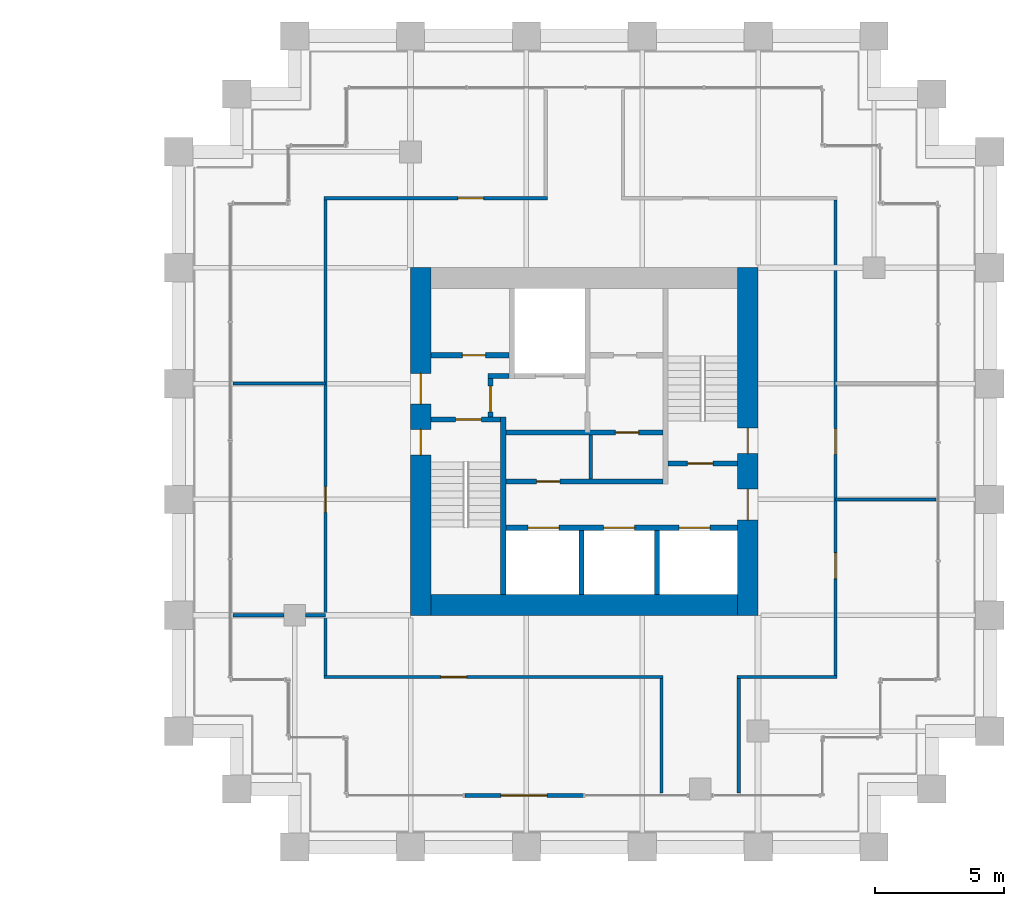
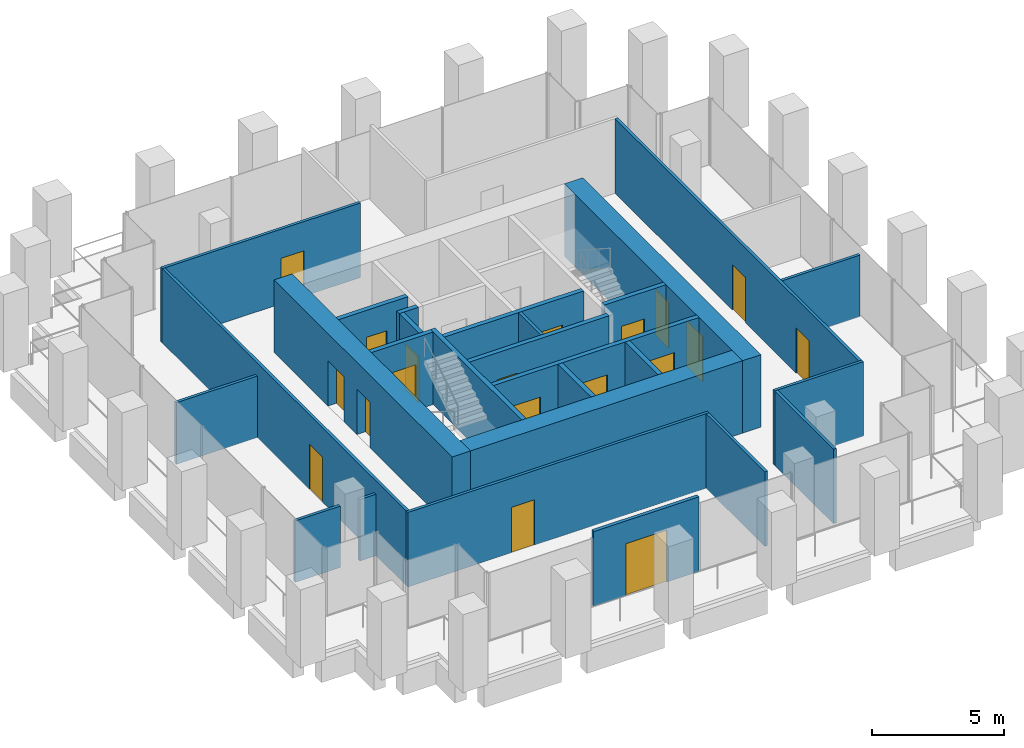
# One storey, part 52 of 56: 27 walls, 19 doors, 19 openings.
"""IFC4 building model written with IfcOpenShell, lengths in metres."""

import ifcopenshell
import ifcopenshell.guid

model = None  # the IFC model being written
_history = None  # IfcOwnerHistory: only IFC2X3 demands one
_inside = {}  # id of a spatial element -> (the spatial element, [elements in it])
_under = {}  # id of a project, library or spatial element -> (it, [spatial elements below it])
_declared = {}  # id of a project -> (the project, [libraries it declares])
_typed = {}  # id of a type object -> (the type object, [elements of that type])
_made_of = {}  # id of a material, layer set ... -> (it, [elements and type objects made of it])


def new_model(schema):
    """Start an empty IFC model of exactly this schema.

    Asked for "IFC4X3", IfcOpenShell would pick the latest addendum, in which some entities
    have other attributes; the version numbers below select the first issue.
    IFC2X3 requires an IfcOwnerHistory on every rooted entity: one is made here for all.
    """
    global model, _history
    if schema == "IFC4X3":
        model = ifcopenshell.file(schema_version=(4, 3, 0, 0))
    else:
        model = ifcopenshell.file(schema=schema)
    _inside.clear()
    _under.clear()
    _declared.clear()
    _typed.clear()
    _made_of.clear()
    _history = None
    if model.schema == "IFC2X3":
        org = make("IfcOrganization", Name="unknown")
        user = make(
            "IfcPersonAndOrganization",
            ThePerson=make("IfcPerson", FamilyName="unknown"),
            TheOrganization=org,
        )
        app = make(
            "IfcApplication",
            ApplicationDeveloper=org,
            Version="unknown",
            ApplicationFullName="unknown",
            ApplicationIdentifier="unknown",
        )
        _history = make(
            "IfcOwnerHistory",
            OwningUser=user,
            OwningApplication=app,
            ChangeAction="ADDED",
            CreationDate=0,
        )
    return model


def make(cls, **values):
    """One entity of the class cls with the attributes given. An attribute that is None is left unset."""
    return model.create_entity(
        cls, **{name: value for name, value in values.items() if value is not None}
    )


def rooted(cls, **values):
    """An entity with a GlobalId (a new one), such as an element, a storey or a relation."""
    return make(cls, GlobalId=ifcopenshell.guid.new(), OwnerHistory=_history, **values)


def si_unit(unit_type, name, prefix=None):
    """IfcSIUnit, for example si_unit("LENGTHUNIT", "METRE", prefix="MILLI")."""
    return make("IfcSIUnit", UnitType=unit_type, Prefix=prefix, Name=name)


def assignment(units):
    """IfcUnitAssignment: the units of a project."""
    return None if units is None else make("IfcUnitAssignment", Units=units)


def point(xyz):
    """IfcCartesianPoint."""
    return None if xyz is None else make("IfcCartesianPoint", Coordinates=xyz)


def direction(xyz):
    """IfcDirection."""
    return None if xyz is None else make("IfcDirection", DirectionRatios=xyz)


def frame(location, z_axis=None, x_axis=None):
    """IfcAxis2Placement3D, a coordinate frame: its origin and axes. An axis left out is left unset."""
    return make(
        "IfcAxis2Placement3D",
        Location=point(location),
        Axis=direction(z_axis),
        RefDirection=direction(x_axis),
    )


def frame_2d(location, x_axis=None):
    """IfcAxis2Placement2D, a coordinate frame in the plane: its origin and x axis."""
    return make(
        "IfcAxis2Placement2D", Location=point(location), RefDirection=direction(x_axis)
    )


def origin():
    """The frame at (0, 0, 0) with its axes left unset."""
    return frame((0.0, 0.0, 0.0))


def place(relative_to, where):
    """IfcLocalPlacement: puts the frame where relative to a parent placement (None: the world)."""
    return make(
        "IfcLocalPlacement", PlacementRelTo=relative_to, RelativePlacement=where
    )


def context(
    kind, dimensions, precision=None, world=None, true_north=None, identifier=None
):
    """IfcGeometricRepresentationContext, for example the 3D "Model" context."""
    return make(
        "IfcGeometricRepresentationContext",
        ContextIdentifier=identifier,
        ContextType=kind,
        CoordinateSpaceDimension=dimensions,
        Precision=precision,
        WorldCoordinateSystem=world,
        TrueNorth=true_north,
    )


def subcontext(parent, identifier, kind, view, scale=None):
    """IfcGeometricRepresentationSubContext, for example "Body" below "Model"."""
    return make(
        "IfcGeometricRepresentationSubContext",
        ContextIdentifier=identifier,
        ContextType=kind,
        ParentContext=parent,
        TargetScale=scale,
        TargetView=view,
    )


def project(units=None, contexts=None):
    """IfcProject with its units and contexts."""
    return rooted(
        "IfcProject",
        Name="project",
        RepresentationContexts=contexts,
        UnitsInContext=assignment(units),
    )


def spatial(cls, under=None, at=None, **own):
    """A site, building, storey or space (cls), placed at a placement, below another one or the project."""
    s = rooted(cls, ObjectPlacement=at, **own)
    if under is not None:
        _under.setdefault(under.id(), (under, []))[1].append(s)
    return s


def profile(cls, at=None, kind="AREA", **sizes):
    """A parametric profile (cls). Its sizes go by their IFC names, for example OverallWidth=200.0."""
    return make(cls, ProfileType=kind, Position=at, **sizes)


def rectangle(**sizes):
    """IfcRectangleProfileDef."""
    return profile("IfcRectangleProfileDef", **sizes)


def extrude(swept, where, along, depth):
    """IfcExtrudedAreaSolid: the profile swept, set in the frame where, extruded along a direction by depth."""
    return make(
        "IfcExtrudedAreaSolid",
        SweptArea=swept,
        Position=where,
        ExtrudedDirection=direction(along),
        Depth=depth,
    )


def shape(context_of_items, identifier, shape_type, items):
    """IfcShapeRepresentation: the items that make up one representation, for example the "Body"."""
    return make(
        "IfcShapeRepresentation",
        ContextOfItems=context_of_items,
        RepresentationIdentifier=identifier,
        RepresentationType=shape_type,
        Items=items,
    )


def material(Name=None, Category=None):
    """IfcMaterial."""
    return make("IfcMaterial", Name=Name, Category=Category)


def layer(
    of_material, thickness, ventilated=None, Name=None, Category=None, Priority=None
):
    """IfcMaterialLayer: one layer of a wall or slab, of a material (None: an air gap)."""
    return make(
        "IfcMaterialLayer",
        Material=of_material,
        LayerThickness=thickness,
        IsVentilated=ventilated,
        Name=Name,
        Category=Category,
        Priority=Priority,
    )


def layer_set(layers, Name=None):
    """IfcMaterialLayerSet."""
    return make("IfcMaterialLayerSet", MaterialLayers=layers, LayerSetName=Name)


def made_of(thing, what):
    """Note that an element or type object is made of a material, layer set ...; save() writes the relation."""
    if what is not None:
        _made_of.setdefault(what.id(), (what, []))[1].append(thing)
    return thing


def type_object(cls, material=None, **own):
    """A type object (cls), such as IfcWallType, which elements share."""
    return made_of(rooted(cls, **own), material)


def element(
    cls,
    number,
    at=None,
    inside=None,
    cuts=None,
    type_object=None,
    material=None,
    context=None,
    identifier="Body",
    shape_type=None,
    held_by="IfcProductDefinitionShape",
    body=None,
    shapes=None,
    **own,
):
    """One element of the class cls, such as IfcWall. Its Tag is "e" and its number.

    at: its placement. inside: the storey or other place that contains it. cuts: it is an
    opening in that element (IfcRelVoidsElement). A single representation is given by context,
    identifier, shape_type and body (its items); several are given by shapes. held_by: the class
    of the entity that holds the representations. save() writes the other relations.
    """
    e = rooted(cls, Tag="e%d" % number, ObjectPlacement=at, **own)
    if body is not None:
        shapes = [shape(context, identifier, shape_type, body)]
    if shapes is not None:
        e.Representation = make(held_by, Representations=shapes)
    if inside is not None:
        _inside.setdefault(inside.id(), (inside, []))[1].append(e)
    if cuts is not None:
        rooted(
            "IfcRelVoidsElement", RelatingBuildingElement=cuts, RelatedOpeningElement=e
        )
    if type_object is not None:
        _typed.setdefault(type_object.id(), (type_object, []))[1].append(e)
    return made_of(e, material)


def fill(opening, filler):
    """IfcRelFillsElement: the door or window that sits in an opening."""
    return rooted(
        "IfcRelFillsElement",
        RelatingOpeningElement=opening,
        RelatedBuildingElement=filler,
    )


def aggregate(whole, parts):
    """IfcRelAggregates: a whole, such as a stair, and the parts it consists of."""
    return rooted("IfcRelAggregates", RelatingObject=whole, RelatedObjects=parts)


def save(model, path):
    """Write the relations noted so far, then the file.

    IfcRelAggregates (storeys below a building ...), IfcRelContainedInSpatialStructure (elements
    in a storey), IfcRelDefinesByType, IfcRelAssociatesMaterial and IfcRelDeclares: one each for
    every whole, place, type object, material and project.
    """
    for whole, parts in _under.values():
        aggregate(whole, parts)
    for where, things in _inside.values():
        rooted(
            "IfcRelContainedInSpatialStructure",
            RelatedElements=things,
            RelatingStructure=where,
        )
    for kind, things in _typed.values():
        rooted("IfcRelDefinesByType", RelatedObjects=things, RelatingType=kind)
    for what, things in _made_of.values():
        rooted("IfcRelAssociatesMaterial", RelatedObjects=things, RelatingMaterial=what)
    for by, libraries in _declared.values():
        rooted("IfcRelDeclares", RelatingContext=by, RelatedDefinitions=libraries)
    model.write(path)


model = new_model("IFC4")

# Units and contexts
model_context = context("Model", 3, precision=1e-05, world=origin(), true_north=direction((0.0, 1.0)))
body_context = subcontext(model_context, "Body", "Model", "MODEL_VIEW")
ifc_project = project(units=[si_unit("LENGTHUNIT", "METRE"), si_unit("AREAUNIT", "SQUARE_METRE"), si_unit("VOLUMEUNIT", "CUBIC_METRE"), si_unit("PLANEANGLEUNIT", "RADIAN"), si_unit("MASSUNIT", "GRAM", prefix="KILO")], contexts=[model_context])

# Site, building, storey
site_placement = place(None, origin())
site = spatial("IfcSite", under=ifc_project, at=site_placement, CompositionType="ELEMENT")
building_placement = place(site_placement, origin())
building = spatial("IfcBuilding", under=site, at=building_placement, Name="Altepetl Exchange Towers", CompositionType="ELEMENT")
storey_placement = place(building_placement, frame((0.0, 0.0, 79.800048828125)))
storey = spatial("IfcBuildingStorey", under=building, at=storey_placement, Name="L19", CompositionType="ELEMENT", Elevation=79.800048828125)

# Wall, openings, doors
ifc_material_1 = material(Name="Concrete C70/85", Category="concrete")
ifc_layer_1 = layer(ifc_material_1, 0.800048828125)
ifc_layer_set_1 = layer_set([ifc_layer_1], Name="Concrete C70/85")
wall_type_1 = type_object("IfcWallType", Name="Core wall 800 reinforced concrete", PredefinedType="SHEAR", material=ifc_layer_set_1)
wall_1_placement = place(storey_placement, frame((116.60009765625, 36.0, 0.0), z_axis=(0.0, 0.0, 1.0), x_axis=(0.0, 1.0, 0.0)))
wall_1 = element("IfcWall", 1, at=wall_1_placement, inside=storey, type_object=wall_type_1, Name="wall:B:L19:K-coreE", PredefinedType="SHEAR", context=body_context, shape_type="SweptSolid", body=[
    extrude(rectangle(XDim=13.5, YDim=0.800048828125, at=frame_2d((6.75, 0.0))), origin(), (0.0, 0.0, 1.0), 3.349853515625),
])
opening_1_placement = place(wall_1_placement, frame((3.699951171875, 0.0, 0.0)))
opening_1 = element("IfcOpeningElement", 2, at=opening_1_placement, cuts=wall_1, Name="Opening L19.B61", PredefinedType="OPENING", context=body_context, shape_type="SweptSolid", body=[
    extrude(rectangle(XDim=1.199951171875, YDim=2.10009765625, at=frame_2d((0.60009765625, 1.050048828125))), frame((0.0, 0.41015625, 0.0), z_axis=(0.0, -1.0, 0.0), x_axis=(1.0, 0.0, 0.0)), (0.0, 0.0, 1.0), 0.820068359375),
])
opening_2_placement = place(wall_1_placement, frame((6.27490234375, 0.0, 0.0)))
opening_2 = element("IfcOpeningElement", 3, at=opening_2_placement, cuts=wall_1, Name="Opening L19.B65", PredefinedType="OPENING", context=body_context, shape_type="SweptSolid", body=[
    extrude(rectangle(XDim=1.0, YDim=2.10009765625, at=frame_2d((0.5, 1.050048828125))), frame((0.0, 0.41015625, 0.0), z_axis=(0.0, -1.0, 0.0), x_axis=(1.0, 0.0, 0.0)), (0.0, 0.0, 1.0), 0.820068359375),
])
ifc_material_2 = material(Name="Steel and timber fire door", Category="steel")
door_type_1 = type_object("IfcDoorType", Name="Fire door 1000 x 2100 stair and lobby", OperationType="SINGLE_SWING_LEFT", PredefinedType="DOOR", material=ifc_material_2)
door_1_placement = place(opening_2_placement, origin())
door_1 = element("IfcDoor", 4, at=door_1_placement, inside=storey, type_object=door_type_1, Name="door:B:L19:K-dS2x", OperationType="SINGLE_SWING_LEFT", OverallHeight=2.10009765625, OverallWidth=1.0, PredefinedType="DOOR", context=body_context, shape_type="SweptSolid", body=[
    extrude(rectangle(XDim=1.0, YDim=2.10009765625, at=frame_2d((0.5, 1.050048828125))), frame((0.0, 0.02490234375, 0.0), z_axis=(0.0, -1.0, 0.0), x_axis=(1.0, 0.0, 0.0)), (0.0, 0.0, 1.0), 0.050048828125),
])
fill(opening_2, door_1)
door_type_2 = type_object("IfcDoorType", Name="Fire door 1200 x 2100 lobby entry", OperationType="SINGLE_SWING_LEFT", PredefinedType="DOOR", material=ifc_material_2)
door_2_placement = place(opening_1_placement, origin())
door_2 = element("IfcDoor", 5, at=door_2_placement, inside=storey, type_object=door_type_2, Name="door:B:L19:K-dLSE", OperationType="SINGLE_SWING_RIGHT", OverallHeight=2.10009765625, OverallWidth=1.199951171875, PredefinedType="DOOR", context=body_context, shape_type="SweptSolid", body=[
    extrude(rectangle(XDim=1.199951171875, YDim=2.10009765625, at=frame_2d((0.60009765625, 1.050048828125))), frame((0.0, 0.02490234375, 0.0), z_axis=(0.0, -1.0, 0.0), x_axis=(1.0, 0.0, 0.0)), (0.0, 0.0, 1.0), 0.050048828125),
])
fill(opening_1, door_2)

# Wall
wall_2_placement = place(storey_placement, frame((104.300048828125, 36.39990234375, 0.0)))
element("IfcWall", 6, at=wall_2_placement, inside=storey, type_object=wall_type_1, Name="wall:B:L19:K-coreS", PredefinedType="SHEAR", context=body_context, shape_type="SweptSolid", body=[
    extrude(rectangle(XDim=11.89990234375, YDim=0.800048828125, at=frame_2d((5.949951171875, 0.0))), origin(), (0.0, 0.0, 1.0), 3.349853515625),
])

# Wall, openings, doors
wall_3_placement = place(storey_placement, frame((103.89990234375, 36.0, 0.0), z_axis=(0.0, 0.0, 1.0), x_axis=(0.0, 1.0, 0.0)))
wall_3 = element("IfcWall", 7, at=wall_3_placement, inside=storey, type_object=wall_type_1, Name="wall:B:L19:K-coreW", PredefinedType="SHEAR", context=body_context, shape_type="SweptSolid", body=[
    extrude(rectangle(XDim=13.5, YDim=0.800048828125, at=frame_2d((6.75, 0.0))), origin(), (0.0, 0.0, 1.0), 3.349853515625),
])
opening_3_placement = place(wall_3_placement, frame((8.199951171875, 0.0, 0.0)))
opening_3 = element("IfcOpeningElement", 8, at=opening_3_placement, cuts=wall_3, Name="Opening L19.B60", PredefinedType="OPENING", context=body_context, shape_type="SweptSolid", body=[
    extrude(rectangle(XDim=1.199951171875, YDim=2.10009765625, at=frame_2d((0.60009765625, 1.050048828125))), frame((0.0, 0.41015625, 0.0), z_axis=(0.0, -1.0, 0.0), x_axis=(1.0, 0.0, 0.0)), (0.0, 0.0, 1.0), 0.820068359375),
])
opening_4_placement = place(wall_3_placement, frame((6.22509765625, 0.0, 0.0)))
opening_4 = element("IfcOpeningElement", 9, at=opening_4_placement, cuts=wall_3, Name="Opening L19.B63", PredefinedType="OPENING", context=body_context, shape_type="SweptSolid", body=[
    extrude(rectangle(XDim=1.0, YDim=2.10009765625, at=frame_2d((0.5, 1.050048828125))), frame((0.0, 0.41015625, 0.0), z_axis=(0.0, -1.0, 0.0), x_axis=(1.0, 0.0, 0.0)), (0.0, 0.0, 1.0), 0.820068359375),
])
door_3_placement = place(opening_4_placement, frame((1.0, 0.0, 0.0), x_axis=(-1.0, 0.0, 0.0)))
door_3 = element("IfcDoor", 10, at=door_3_placement, inside=storey, type_object=door_type_1, Name="door:B:L19:K-dS1x", OperationType="SINGLE_SWING_RIGHT", OverallHeight=2.10009765625, OverallWidth=1.0, PredefinedType="DOOR", context=body_context, shape_type="SweptSolid", body=[
    extrude(rectangle(XDim=1.0, YDim=2.10009765625, at=frame_2d((0.5, 1.050048828125))), frame((0.0, 0.02490234375, 0.0), z_axis=(0.0, -1.0, 0.0), x_axis=(1.0, 0.0, 0.0)), (0.0, 0.0, 1.0), 0.050048828125),
])
fill(opening_4, door_3)
door_4_placement = place(opening_3_placement, frame((1.199951171875, 0.0, 0.0), x_axis=(-1.0, 0.0, 0.0)))
door_4 = element("IfcDoor", 11, at=door_4_placement, inside=storey, type_object=door_type_2, Name="door:B:L19:K-dLNW", OperationType="SINGLE_SWING_RIGHT", OverallHeight=2.10009765625, OverallWidth=1.199951171875, PredefinedType="DOOR", context=body_context, shape_type="SweptSolid", body=[
    extrude(rectangle(XDim=1.199951171875, YDim=2.10009765625, at=frame_2d((0.60009765625, 1.050048828125))), frame((0.0, 0.02490234375, 0.0), z_axis=(0.0, -1.0, 0.0), x_axis=(1.0, 0.0, 0.0)), (0.0, 0.0, 1.0), 0.050048828125),
])
fill(opening_3, door_4)

# Wall, opening, door
ifc_material_3 = material(Name="Aluminium composite cladding", Category="aluminium")
ifc_layer_2 = layer(ifc_material_3, 0.14990234375)
ifc_layer_set_2 = layer_set([ifc_layer_2], Name="Aluminium composite cladding")
wall_type_2 = type_object("IfcWallType", Name="Infill wall 150 aluminium panel", PredefinedType="SOLIDWALL", material=ifc_layer_set_2)
wall_4_placement = place(storey_placement, frame((105.606201171875, 29.0, 0.0)))
wall_4 = element("IfcWall", 12, at=wall_4_placement, inside=storey, type_object=wall_type_2, Name="Loggia door bay wall", PredefinedType="SOLIDWALL", context=body_context, shape_type="SweptSolid", body=[
    extrude(rectangle(XDim=4.606201171875, YDim=0.14990234375, at=frame_2d((2.30322265625, 0.0))), origin(), (0.0, 0.0, 1.0), 3.449951171875),
])
opening_5_placement = place(wall_4_placement, frame((1.403076171875, 0.0, 0.0)))
opening_5 = element("IfcOpeningElement", 13, at=opening_5_placement, cuts=wall_4, Name="Opening L19.B90", PredefinedType="OPENING", context=body_context, shape_type="SweptSolid", body=[
    extrude(rectangle(XDim=1.800048828125, YDim=2.39990234375, at=frame_2d((0.89990234375, 1.199951171875))), frame((0.0, 0.0849609375, 0.0), z_axis=(0.0, -1.0, 0.0), x_axis=(1.0, 0.0, 0.0)), (0.0, 0.0, 1.0), 0.169921875),
])
ifc_material_4 = material(Name="Aluminium 6063-T6 and glass", Category="aluminium")
door_type_3 = type_object("IfcDoorType", Name="Glazed door pair 1800x2400", OperationType="DOUBLE_DOOR_DOUBLE_SWING", PredefinedType="NOTDEFINED", material=ifc_material_4)
door_5_placement = place(opening_5_placement, frame((1.800048828125, 0.0, 0.0), x_axis=(-1.0, 0.0, 0.0)))
door_5 = element("IfcDoor", 14, at=door_5_placement, inside=storey, type_object=door_type_3, Name="Loggia door", OperationType="DOUBLE_DOOR_DOUBLE_SWING", OverallHeight=2.39990234375, OverallWidth=1.800048828125, PredefinedType="NOTDEFINED", context=body_context, shape_type="SweptSolid", body=[
    extrude(rectangle(XDim=1.800048828125, YDim=2.39990234375, at=frame_2d((0.89990234375, 1.199951171875))), frame((0.0, 0.02490234375, 0.0), z_axis=(0.0, -1.0, 0.0), x_axis=(1.0, 0.0, 0.0)), (0.0, 0.0, 1.0), 0.050048828125),
])
fill(opening_5, door_5)

# Wall
ifc_material_5 = material(Name="Concrete blockwork", Category="masonry")
ifc_layer_3 = layer(ifc_material_5, 0.199951171875)
ifc_layer_set_3 = layer_set([ifc_layer_3], Name="Concrete blockwork")
wall_type_3 = type_object("IfcWallType", Name="Lobby wall 200 blockwork", PredefinedType="PARTITIONING", material=ifc_layer_set_3)
wall_5_placement = place(storey_placement, frame((106.5, 45.300048828125, 0.0)))
element("IfcWall", 15, at=wall_5_placement, inside=storey, type_object=wall_type_3, Name="wall:B:L19:K-ffNw", PredefinedType="PARTITIONING", context=body_context, shape_type="SweptSolid", body=[
    extrude(rectangle(XDim=0.833251953125, YDim=0.199951171875, at=frame_2d((0.41650390625, 0.0))), origin(), (0.0, 0.0, 1.0), 3.349853515625),
])

# Wall, opening, door
wall_6_placement = place(storey_placement, frame((106.60009765625, 43.699951171875, 0.0), z_axis=(0.0, 0.0, 1.0), x_axis=(0.0, 1.0, 0.0)))
wall_6 = element("IfcWall", 16, at=wall_6_placement, inside=storey, type_object=wall_type_3, Name="wall:B:L19:K-ffW", PredefinedType="PARTITIONING", context=body_context, shape_type="SweptSolid", body=[
    extrude(rectangle(XDim=1.5, YDim=0.199951171875, at=frame_2d((0.75, 0.0))), origin(), (0.0, 0.0, 1.0), 3.349853515625),
])
opening_6_placement = place(wall_6_placement, frame((0.199951171875, 0.0, 0.0)))
opening_6 = element("IfcOpeningElement", 17, at=opening_6_placement, cuts=wall_6, Name="Opening L19.B67", PredefinedType="OPENING", context=body_context, shape_type="SweptSolid", body=[
    extrude(rectangle(XDim=1.0, YDim=2.10009765625, at=frame_2d((0.5, 1.050048828125))), frame((0.0, 0.10986328125, 0.0), z_axis=(0.0, -1.0, 0.0), x_axis=(1.0, 0.0, 0.0)), (0.0, 0.0, 1.0), 0.219970703125),
])
door_6_placement = place(opening_6_placement, frame((1.0, 0.0, 0.0), x_axis=(-1.0, 0.0, 0.0)))
door_6 = element("IfcDoor", 18, at=door_6_placement, inside=storey, type_object=door_type_1, Name="door:B:L19:K-dffW", OperationType="SINGLE_SWING_LEFT", OverallHeight=2.10009765625, OverallWidth=1.0, PredefinedType="DOOR", context=body_context, shape_type="SweptSolid", body=[
    extrude(rectangle(XDim=1.0, YDim=2.10009765625, at=frame_2d((0.5, 1.050048828125))), frame((0.0, 0.02490234375, 0.0), z_axis=(0.0, -1.0, 0.0), x_axis=(1.0, 0.0, 0.0)), (0.0, 0.0, 1.0), 0.050048828125),
])
fill(opening_6, door_6)

wall_7_placement = place(storey_placement, frame((107.199951171875, 43.10009765625, 0.0)))
wall_7 = element("IfcWall", 19, at=wall_7_placement, inside=storey, type_object=wall_type_3, Name="wall:B:L19:K-zoneN", PredefinedType="PARTITIONING", context=body_context, shape_type="SweptSolid", body=[
    extrude(rectangle(XDim=6.10009765625, YDim=0.199951171875, at=frame_2d((3.050048828125, 0.0))), origin(), (0.0, 0.0, 1.0), 3.349853515625),
])
opening_7_placement = place(wall_7_placement, frame((4.258544921875, 0.0, 0.0)))
opening_7 = element("IfcOpeningElement", 20, at=opening_7_placement, cuts=wall_7, Name="Opening L19.B71", PredefinedType="OPENING", context=body_context, shape_type="SweptSolid", body=[
    extrude(rectangle(XDim=0.89990234375, YDim=2.10009765625, at=frame_2d((0.449951171875, 1.050048828125))), frame((0.0, 0.10986328125, 0.0), z_axis=(0.0, -1.0, 0.0), x_axis=(1.0, 0.0, 0.0)), (0.0, 0.0, 1.0), 0.219970703125),
])
door_type_4 = type_object("IfcDoorType", Name="Fire door 900 x 2100 service room", OperationType="SINGLE_SWING_LEFT", PredefinedType="DOOR", material=ifc_material_2)
door_7_placement = place(opening_7_placement, frame((0.89990234375, 0.0, 0.0), x_axis=(-1.0, 0.0, 0.0)))
door_7 = element("IfcDoor", 21, at=door_7_placement, inside=storey, type_object=door_type_4, Name="door:B:L19:K-dz2", OperationType="SINGLE_SWING_LEFT", OverallHeight=2.10009765625, OverallWidth=0.89990234375, PredefinedType="DOOR", context=body_context, shape_type="SweptSolid", body=[
    extrude(rectangle(XDim=0.89990234375, YDim=2.10009765625, at=frame_2d((0.449951171875, 1.050048828125))), frame((0.0, 0.02490234375, 0.0), z_axis=(0.0, -1.0, 0.0), x_axis=(1.0, 0.0, 0.0)), (0.0, 0.0, 1.0), 0.050048828125),
])
fill(opening_7, door_7)

wall_8_placement = place(storey_placement, frame((107.199951171875, 41.199951171875, 0.0)))
wall_8 = element("IfcWall", 22, at=wall_8_placement, inside=storey, type_object=wall_type_3, Name="wall:B:L19:K-zoneS", PredefinedType="PARTITIONING", context=body_context, shape_type="SweptSolid", body=[
    extrude(rectangle(XDim=6.10009765625, YDim=0.199951171875, at=frame_2d((3.050048828125, 0.0))), origin(), (0.0, 0.0, 1.0), 3.349853515625),
])
opening_8_placement = place(wall_8_placement, frame((1.199951171875, 0.0, 0.0)))
opening_8 = element("IfcOpeningElement", 23, at=opening_8_placement, cuts=wall_8, Name="Opening L19.B70", PredefinedType="OPENING", context=body_context, shape_type="SweptSolid", body=[
    extrude(rectangle(XDim=0.89990234375, YDim=2.10009765625, at=frame_2d((0.449951171875, 1.050048828125))), frame((0.0, 0.10986328125, 0.0), z_axis=(0.0, -1.0, 0.0), x_axis=(1.0, 0.0, 0.0)), (0.0, 0.0, 1.0), 0.219970703125),
])
door_8_placement = place(opening_8_placement, origin())
door_8 = element("IfcDoor", 24, at=door_8_placement, inside=storey, type_object=door_type_4, Name="door:B:L19:K-dz1", OperationType="SINGLE_SWING_RIGHT", OverallHeight=2.10009765625, OverallWidth=0.89990234375, PredefinedType="DOOR", context=body_context, shape_type="SweptSolid", body=[
    extrude(rectangle(XDim=0.89990234375, YDim=2.10009765625, at=frame_2d((0.449951171875, 1.050048828125))), frame((0.0, 0.02490234375, 0.0), z_axis=(0.0, -1.0, 0.0), x_axis=(1.0, 0.0, 0.0)), (0.0, 0.0, 1.0), 0.050048828125),
])
fill(opening_8, door_8)

# Wall
ifc_material_6 = material(Name="Gypsum board on steel studs", Category="steel")
ifc_layer_4 = layer(ifc_material_6, 0.125)
ifc_layer_set_4 = layer_set([ifc_layer_4], Name="Gypsum board on steel studs")
wall_type_4 = type_object("IfcWallType", Name="Partition 125 gypsum board on steel studs", PredefinedType="PARTITIONING", material=ifc_layer_set_4)
wall_9_placement = place(storey_placement, frame((110.5, 41.300048828125, 0.0), z_axis=(0.0, 0.0, 1.0), x_axis=(0.0, 1.0, 0.0)))
element("IfcWall", 25, at=wall_9_placement, inside=storey, type_object=wall_type_4, Name="wall:B:L19:K-zp1", PredefinedType="PARTITIONING", context=body_context, shape_type="SweptSolid", body=[
    extrude(rectangle(XDim=1.699951171875, YDim=0.125, at=frame_2d((0.85009765625, 0.0))), origin(), (0.0, 0.0, 1.0), 3.349853515625),
])

# Wall, opening, door
wall_10_placement = place(storey_placement, frame((100.137451171875, 33.60009765625, 0.0)))
wall_10 = element("IfcWall", 26, at=wall_10_placement, inside=storey, type_object=wall_type_4, Name="wall:B:L19:P01", PredefinedType="PARTITIONING", context=body_context, shape_type="SweptSolid", body=[
    extrude(rectangle(XDim=13.175048828125, YDim=0.125, at=frame_2d((6.58740234375, 0.0))), origin(), (0.0, 0.0, 1.0), 3.449951171875),
])
opening_9_placement = place(wall_10_placement, frame((4.54150390625, 0.0, 0.0)))
opening_9 = element("IfcOpeningElement", 27, at=opening_9_placement, cuts=wall_10, Name="Opening L19.B02", PredefinedType="OPENING", context=body_context, shape_type="SweptSolid", body=[
    extrude(rectangle(XDim=1.0, YDim=2.10009765625, at=frame_2d((0.5, 1.050048828125))), frame((0.0, 0.072509765625, 0.0), z_axis=(0.0, -1.0, 0.0), x_axis=(1.0, 0.0, 0.0)), (0.0, 0.0, 1.0), 0.14501953125),
])
door_type_5 = type_object("IfcDoorType", Name="Fire door 1000 x 2100 single leaf", OperationType="SINGLE_SWING_LEFT", PredefinedType="DOOR", material=ifc_material_2)
door_9_placement = place(opening_9_placement, frame((1.0, 0.0, 0.0), x_axis=(-1.0, 0.0, 0.0)))
door_9 = element("IfcDoor", 28, at=door_9_placement, inside=storey, type_object=door_type_5, Name="door:B:L19:02", OperationType="SINGLE_SWING_RIGHT", OverallHeight=2.10009765625, OverallWidth=1.0, PredefinedType="DOOR", context=body_context, shape_type="SweptSolid", body=[
    extrude(rectangle(XDim=1.0, YDim=2.10009765625, at=frame_2d((0.5, 1.050048828125))), frame((0.0, 0.02490234375, 0.0), z_axis=(0.0, -1.0, 0.0), x_axis=(1.0, 0.0, 0.0)), (0.0, 0.0, 1.0), 0.050048828125),
])
fill(opening_9, door_9)

# Walls
wall_11_placement = place(storey_placement, frame((116.1875, 33.60009765625, 0.0)))
element("IfcWall", 29, at=wall_11_placement, inside=storey, type_object=wall_type_4, Name="wall:B:L19:P02", PredefinedType="PARTITIONING", context=body_context, shape_type="SweptSolid", body=[
    extrude(rectangle(XDim=3.875, YDim=0.125, at=frame_2d((1.9375, 0.0))), origin(), (0.0, 0.0, 1.0), 3.449951171875),
])
wall_12_placement = place(storey_placement, frame((96.60009765625, 36.0, 0.0)))
element("IfcWall", 30, at=wall_12_placement, inside=storey, type_object=wall_type_4, Name="wall:B:L19:P03", PredefinedType="PARTITIONING", context=body_context, shape_type="SweptSolid", body=[
    extrude(rectangle(XDim=1.974853515625, YDim=0.125, at=frame_2d((0.9873046875, 0.0))), origin(), (0.0, 0.0, 1.0), 2.842041015625),
])
wall_13_placement = place(storey_placement, frame((99.425048828125, 36.0, 0.0)))
element("IfcWall", 31, at=wall_13_placement, inside=storey, type_object=wall_type_4, Name="wall:B:L19:P04", PredefinedType="PARTITIONING", context=body_context, shape_type="SweptSolid", body=[
    extrude(rectangle(XDim=0.77490234375, YDim=0.125, at=frame_2d((0.387451171875, 0.0))), origin(), (0.0, 0.0, 1.0), 2.842041015625),
])
wall_14_placement = place(storey_placement, frame((120.0, 40.5, 0.0)))
element("IfcWall", 32, at=wall_14_placement, inside=storey, type_object=wall_type_4, Name="wall:B:L19:P05", PredefinedType="PARTITIONING", context=body_context, shape_type="SweptSolid", body=[
    extrude(rectangle(XDim=3.89990234375, YDim=0.125, at=frame_2d((1.949951171875, 0.0))), origin(), (0.0, 0.0, 1.0), 2.850830078125),
])
wall_15_placement = place(storey_placement, frame((96.60009765625, 45.0, 0.0)))
element("IfcWall", 33, at=wall_15_placement, inside=storey, type_object=wall_type_4, Name="wall:B:L19:P06", PredefinedType="PARTITIONING", context=body_context, shape_type="SweptSolid", body=[
    extrude(rectangle(XDim=3.599853515625, YDim=0.125, at=frame_2d((1.7998046875, 0.0))), origin(), (0.0, 0.0, 1.0), 2.850830078125),
])

# Wall, opening, door
wall_16_placement = place(storey_placement, frame((100.137451171875, 52.199951171875, 0.0)))
wall_16 = element("IfcWall", 34, at=wall_16_placement, inside=storey, type_object=wall_type_4, Name="wall:B:L19:P08", PredefinedType="PARTITIONING", context=body_context, shape_type="SweptSolid", body=[
    extrude(rectangle(XDim=8.675048828125, YDim=0.125, at=frame_2d((4.33740234375, 0.0))), origin(), (0.0, 0.0, 1.0), 3.449951171875),
])
opening_10_placement = place(wall_16_placement, frame((5.196533203125, 0.0, 0.0)))
opening_10 = element("IfcOpeningElement", 35, at=opening_10_placement, cuts=wall_16, Name="Opening L19.B06", PredefinedType="OPENING", context=body_context, shape_type="SweptSolid", body=[
    extrude(rectangle(XDim=1.0, YDim=2.10009765625, at=frame_2d((0.5, 1.050048828125))), frame((0.0, 0.072509765625, 0.0), z_axis=(0.0, -1.0, 0.0), x_axis=(1.0, 0.0, 0.0)), (0.0, 0.0, 1.0), 0.14501953125),
])
door_10_placement = place(opening_10_placement, frame((1.0, 0.0, 0.0), x_axis=(-1.0, 0.0, 0.0)))
door_10 = element("IfcDoor", 36, at=door_10_placement, inside=storey, type_object=door_type_5, Name="door:B:L19:06", OperationType="SINGLE_SWING_RIGHT", OverallHeight=2.10009765625, OverallWidth=1.0, PredefinedType="DOOR", context=body_context, shape_type="SweptSolid", body=[
    extrude(rectangle(XDim=1.0, YDim=2.10009765625, at=frame_2d((0.5, 1.050048828125))), frame((0.0, 0.02490234375, 0.0), z_axis=(0.0, -1.0, 0.0), x_axis=(1.0, 0.0, 0.0)), (0.0, 0.0, 1.0), 0.050048828125),
])
fill(opening_10, door_10)

wall_17_placement = place(storey_placement, frame((100.199951171875, 33.66259765625, 0.0), z_axis=(0.0, 0.0, 1.0), x_axis=(0.0, 1.0, 0.0)))
wall_17 = element("IfcWall", 37, at=wall_17_placement, inside=storey, type_object=wall_type_4, Name="wall:B:L19:P10", PredefinedType="PARTITIONING", context=body_context, shape_type="SweptSolid", body=[
    extrude(rectangle(XDim=18.474853515625, YDim=0.125, at=frame_2d((9.2373046875, 0.0))), origin(), (0.0, 0.0, 1.0), 3.449951171875),
])
opening_11_placement = place(wall_17_placement, frame((6.33740234375, 0.0, 0.0)))
opening_11 = element("IfcOpeningElement", 38, at=opening_11_placement, cuts=wall_17, Name="Opening L19.B01", PredefinedType="OPENING", context=body_context, shape_type="SweptSolid", body=[
    extrude(rectangle(XDim=1.0, YDim=2.10009765625, at=frame_2d((0.5, 1.050048828125))), frame((0.0, 0.072509765625, 0.0), z_axis=(0.0, -1.0, 0.0), x_axis=(1.0, 0.0, 0.0)), (0.0, 0.0, 1.0), 0.14501953125),
])
door_11_placement = place(opening_11_placement, origin())
door_11 = element("IfcDoor", 39, at=door_11_placement, inside=storey, type_object=door_type_5, Name="door:B:L19:01", OperationType="SINGLE_SWING_RIGHT", OverallHeight=2.10009765625, OverallWidth=1.0, PredefinedType="DOOR", context=body_context, shape_type="SweptSolid", body=[
    extrude(rectangle(XDim=1.0, YDim=2.10009765625, at=frame_2d((0.5, 1.050048828125))), frame((0.0, 0.02490234375, 0.0), z_axis=(0.0, -1.0, 0.0), x_axis=(1.0, 0.0, 0.0)), (0.0, 0.0, 1.0), 0.050048828125),
])
fill(opening_11, door_11)

# Walls
for number, where, z_axis, x_axis, name in (
    (40, (113.25, 29.10009765625, 0.0), (0.0, 0.0, 1.0), (0.0, 1.0, 0.0), "wall:B:L19:P13"),
    (41, (116.25, 29.10009765625, 0.0), (0.0, 0.0, 1.0), (0.0, 1.0, 0.0), "wall:B:L19:P14"),
):
    element("IfcWall", number, at=place(storey_placement, frame(where, z_axis=z_axis, x_axis=x_axis)), inside=storey, type_object=wall_type_4, Name=name, PredefinedType="PARTITIONING", context=body_context, shape_type="SweptSolid", body=[
        extrude(rectangle(XDim=4.4375, YDim=0.125, at=frame_2d((2.21875, 0.0))), origin(), (0.0, 0.0, 1.0), 3.449951171875),
    ])

# Wall, openings, doors
wall_18_placement = place(storey_placement, frame((120.0, 33.66259765625, 0.0), z_axis=(0.0, 0.0, 1.0), x_axis=(0.0, 1.0, 0.0)))
wall_18 = element("IfcWall", 42, at=wall_18_placement, inside=storey, type_object=wall_type_4, Name="wall:B:L19:P15", PredefinedType="PARTITIONING", context=body_context, shape_type="SweptSolid", body=[
    extrude(rectangle(XDim=18.474853515625, YDim=0.125, at=frame_2d((9.2373046875, 0.0))), origin(), (0.0, 0.0, 1.0), 3.449951171875),
])
opening_12_placement = place(wall_18_placement, frame((3.762451171875, 0.0, 0.0)))
opening_12 = element("IfcOpeningElement", 43, at=opening_12_placement, cuts=wall_18, Name="Opening L19.B03", PredefinedType="OPENING", context=body_context, shape_type="SweptSolid", body=[
    extrude(rectangle(XDim=1.0, YDim=2.10009765625, at=frame_2d((0.5, 1.050048828125))), frame((0.0, 0.072509765625, 0.0), z_axis=(0.0, -1.0, 0.0), x_axis=(1.0, 0.0, 0.0)), (0.0, 0.0, 1.0), 0.14501953125),
])
opening_13_placement = place(wall_18_placement, frame((8.58740234375, 0.0, 0.0)))
opening_13 = element("IfcOpeningElement", 44, at=opening_13_placement, cuts=wall_18, Name="Opening L19.B04", PredefinedType="OPENING", context=body_context, shape_type="SweptSolid", body=[
    extrude(rectangle(XDim=1.0, YDim=2.10009765625, at=frame_2d((0.5, 1.050048828125))), frame((0.0, 0.072509765625, 0.0), z_axis=(0.0, -1.0, 0.0), x_axis=(1.0, 0.0, 0.0)), (0.0, 0.0, 1.0), 0.14501953125),
])
door_12_placement = place(opening_12_placement, frame((1.0, 0.0, 0.0), x_axis=(-1.0, 0.0, 0.0)))
door_12 = element("IfcDoor", 45, at=door_12_placement, inside=storey, type_object=door_type_5, Name="door:B:L19:03", OperationType="SINGLE_SWING_LEFT", OverallHeight=2.10009765625, OverallWidth=1.0, PredefinedType="DOOR", context=body_context, shape_type="SweptSolid", body=[
    extrude(rectangle(XDim=1.0, YDim=2.10009765625, at=frame_2d((0.5, 1.050048828125))), frame((0.0, 0.02490234375, 0.0), z_axis=(0.0, -1.0, 0.0), x_axis=(1.0, 0.0, 0.0)), (0.0, 0.0, 1.0), 0.050048828125),
])
fill(opening_12, door_12)
door_13_placement = place(opening_13_placement, frame((1.0, 0.0, 0.0), x_axis=(-1.0, 0.0, 0.0)))
door_13 = element("IfcDoor", 46, at=door_13_placement, inside=storey, type_object=door_type_5, Name="door:B:L19:04", OperationType="SINGLE_SWING_RIGHT", OverallHeight=2.10009765625, OverallWidth=1.0, PredefinedType="DOOR", context=body_context, shape_type="SweptSolid", body=[
    extrude(rectangle(XDim=1.0, YDim=2.10009765625, at=frame_2d((0.5, 1.050048828125))), frame((0.0, 0.02490234375, 0.0), z_axis=(0.0, -1.0, 0.0), x_axis=(1.0, 0.0, 0.0)), (0.0, 0.0, 1.0), 0.050048828125),
])
fill(opening_13, door_13)

# Walls
ifc_material_7 = material(Name="Concrete C40/50", Category="concrete")
ifc_layer_5 = layer(ifc_material_7, 0.199951171875)
ifc_layer_set_5 = layer_set([ifc_layer_5], Name="Concrete C40/50")
wall_type_5 = type_object("IfcWallType", Name="Shaft wall 200 reinforced concrete", PredefinedType="SHEAR", material=ifc_layer_set_5)
for number, where, z_axis, x_axis, name in (
    (47, (110.13330078125, 36.800048828125, 0.0), (0.0, 0.0, 1.0), (0.0, 1.0, 0.0), "wall:B:L19:K-divS1"),
    (48, (113.066650390625, 36.800048828125, 0.0), (0.0, 0.0, 1.0), (0.0, 1.0, 0.0), "wall:B:L19:K-divS2"),
):
    element("IfcWall", number, at=place(storey_placement, frame(where, z_axis=z_axis, x_axis=x_axis)), inside=storey, type_object=wall_type_5, Name=name, PredefinedType="SHEAR", context=body_context, shape_type="SweptSolid", body=[
        extrude(rectangle(XDim=2.5, YDim=0.199951171875, at=frame_2d((1.25, 0.0))), origin(), (0.0, 0.0, 1.0), 3.349853515625),
    ])

# Wall, opening, door
wall_19_placement = place(storey_placement, frame((104.300048828125, 46.10009765625, 0.0)))
wall_19 = element("IfcWall", 49, at=wall_19_placement, inside=storey, type_object=wall_type_5, Name="wall:B:L19:K-frontNa", PredefinedType="SHEAR", context=body_context, shape_type="SweptSolid", body=[
    extrude(rectangle(XDim=3.033203125, YDim=0.199951171875, at=frame_2d((1.5166015625, 0.0))), origin(), (0.0, 0.0, 1.0), 3.349853515625),
])
opening_14_placement = place(wall_19_placement, frame((1.216796875, 0.0, 0.0)))
opening_14 = element("IfcOpeningElement", 50, at=opening_14_placement, cuts=wall_19, Name="Opening L19.B68", PredefinedType="OPENING", context=body_context, shape_type="SweptSolid", body=[
    extrude(rectangle(XDim=0.89990234375, YDim=2.10009765625, at=frame_2d((0.449951171875, 1.050048828125))), frame((0.0, 0.10986328125, 0.0), z_axis=(0.0, -1.0, 0.0), x_axis=(1.0, 0.0, 0.0)), (0.0, 0.0, 1.0), 0.219970703125),
])
door_14_placement = place(opening_14_placement, origin())
door_14 = element("IfcDoor", 51, at=door_14_placement, inside=storey, type_object=door_type_4, Name="door:B:L19:K-dslotN0", OperationType="SINGLE_SWING_RIGHT", OverallHeight=2.10009765625, OverallWidth=0.89990234375, PredefinedType="DOOR", context=body_context, shape_type="SweptSolid", body=[
    extrude(rectangle(XDim=0.89990234375, YDim=2.10009765625, at=frame_2d((0.449951171875, 1.050048828125))), frame((0.0, 0.02490234375, 0.0), z_axis=(0.0, -1.0, 0.0), x_axis=(1.0, 0.0, 0.0)), (0.0, 0.0, 1.0), 0.050048828125),
])
fill(opening_14, door_14)

# Wall, openings, doors
wall_20_placement = place(storey_placement, frame((107.199951171875, 39.39990234375, 0.0)))
wall_20 = element("IfcWall", 52, at=wall_20_placement, inside=storey, type_object=wall_type_5, Name="wall:B:L19:K-frontS", PredefinedType="SHEAR", context=body_context, shape_type="SweptSolid", body=[
    extrude(rectangle(XDim=9.0, YDim=0.199951171875, at=frame_2d((4.5, 0.0))), origin(), (0.0, 0.0, 1.0), 3.349853515625),
])
opening_15_placement = place(wall_20_placement, frame((0.86669921875, 0.0, 0.0)))
opening_15 = element("IfcOpeningElement", 53, at=opening_15_placement, cuts=wall_20, Name="Opening L19.B73", PredefinedType="OPENING", context=body_context, shape_type="SweptSolid", body=[
    extrude(rectangle(XDim=1.199951171875, YDim=2.10009765625, at=frame_2d((0.60009765625, 1.050048828125))), frame((0.0, 0.10986328125, 0.0), z_axis=(0.0, -1.0, 0.0), x_axis=(1.0, 0.0, 0.0)), (0.0, 0.0, 1.0), 0.219970703125),
])
opening_16_placement = place(wall_20_placement, frame((3.800048828125, 0.0, 0.0)))
opening_16 = element("IfcOpeningElement", 54, at=opening_16_placement, cuts=wall_20, Name="Opening L19.B74", PredefinedType="OPENING", context=body_context, shape_type="SweptSolid", body=[
    extrude(rectangle(XDim=1.199951171875, YDim=2.10009765625, at=frame_2d((0.60009765625, 1.050048828125))), frame((0.0, 0.10986328125, 0.0), z_axis=(0.0, -1.0, 0.0), x_axis=(1.0, 0.0, 0.0)), (0.0, 0.0, 1.0), 0.219970703125),
])
opening_17_placement = place(wall_20_placement, frame((6.7333984375, 0.0, 0.0)))
opening_17 = element("IfcOpeningElement", 55, at=opening_17_placement, cuts=wall_20, Name="Opening L19.B75", PredefinedType="OPENING", context=body_context, shape_type="SweptSolid", body=[
    extrude(rectangle(XDim=1.199951171875, YDim=2.10009765625, at=frame_2d((0.60009765625, 1.050048828125))), frame((0.0, 0.10986328125, 0.0), z_axis=(0.0, -1.0, 0.0), x_axis=(1.0, 0.0, 0.0)), (0.0, 0.0, 1.0), 0.219970703125),
])
ifc_material_8 = material(Name="Stainless steel", Category="steel")
door_type_6 = type_object("IfcDoorType", Name="Lift landing door 1200 x 2100", OperationType="SLIDING_TO_LEFT", PredefinedType="DOOR", material=ifc_material_8)
door_15_placement = place(opening_15_placement, origin())
door_15 = element("IfcDoor", 56, at=door_15_placement, inside=storey, type_object=door_type_6, Name="Landing door P1", OperationType="SLIDING_TO_LEFT", OverallHeight=2.10009765625, OverallWidth=1.199951171875, PredefinedType="DOOR", context=body_context, shape_type="SweptSolid", body=[
    extrude(rectangle(XDim=1.199951171875, YDim=2.10009765625, at=frame_2d((0.60009765625, 1.050048828125))), frame((0.0, 0.02490234375, 0.0), z_axis=(0.0, -1.0, 0.0), x_axis=(1.0, 0.0, 0.0)), (0.0, 0.0, 1.0), 0.050048828125),
])
fill(opening_15, door_15)
door_16_placement = place(opening_16_placement, origin())
door_16 = element("IfcDoor", 57, at=door_16_placement, inside=storey, type_object=door_type_6, Name="Landing door P2", OperationType="SLIDING_TO_LEFT", OverallHeight=2.10009765625, OverallWidth=1.199951171875, PredefinedType="DOOR", context=body_context, shape_type="SweptSolid", body=[
    extrude(rectangle(XDim=1.199951171875, YDim=2.10009765625, at=frame_2d((0.60009765625, 1.050048828125))), frame((0.0, 0.02490234375, 0.0), z_axis=(0.0, -1.0, 0.0), x_axis=(1.0, 0.0, 0.0)), (0.0, 0.0, 1.0), 0.050048828125),
])
fill(opening_16, door_16)
door_17_placement = place(opening_17_placement, origin())
door_17 = element("IfcDoor", 58, at=door_17_placement, inside=storey, type_object=door_type_6, Name="Landing door P3", OperationType="SLIDING_TO_LEFT", OverallHeight=2.10009765625, OverallWidth=1.199951171875, PredefinedType="DOOR", context=body_context, shape_type="SweptSolid", body=[
    extrude(rectangle(XDim=1.199951171875, YDim=2.10009765625, at=frame_2d((0.60009765625, 1.050048828125))), frame((0.0, 0.02490234375, 0.0), z_axis=(0.0, -1.0, 0.0), x_axis=(1.0, 0.0, 0.0)), (0.0, 0.0, 1.0), 0.050048828125),
])
fill(opening_17, door_17)

# Wall
ifc_layer_6 = layer(ifc_material_7, 0.199951171875)
ifc_layer_set_6 = layer_set([ifc_layer_6], Name="Concrete C40/50")
wall_type_6 = type_object("IfcWallType", Name="Stair wall 200 reinforced concrete", PredefinedType="SHEAR", material=ifc_layer_set_6)
wall_21_placement = place(storey_placement, frame((107.10009765625, 36.800048828125, 0.0), z_axis=(0.0, 0.0, 1.0), x_axis=(0.0, 1.0, 0.0)))
element("IfcWall", 59, at=wall_21_placement, inside=storey, type_object=wall_type_6, Name="wall:B:L19:K-stS1E", PredefinedType="SHEAR", context=body_context, shape_type="SweptSolid", body=[
    extrude(rectangle(XDim=6.89990234375, YDim=0.199951171875, at=frame_2d((3.449951171875, 0.0))), origin(), (0.0, 0.0, 1.0), 3.349853515625),
])

# Wall, opening, door
wall_22_placement = place(storey_placement, frame((104.300048828125, 43.60009765625, 0.0)))
wall_22 = element("IfcWall", 60, at=wall_22_placement, inside=storey, type_object=wall_type_6, Name="wall:B:L19:K-stS1N", PredefinedType="SHEAR", context=body_context, shape_type="SweptSolid", body=[
    extrude(rectangle(XDim=2.699951171875, YDim=0.199951171875, at=frame_2d((1.35009765625, 0.0))), origin(), (0.0, 0.0, 1.0), 3.349853515625),
])
opening_18_placement = place(wall_22_placement, frame((0.949951171875, 0.0, 0.0)))
opening_18 = element("IfcOpeningElement", 61, at=opening_18_placement, cuts=wall_22, Name="Opening L19.B62", PredefinedType="OPENING", context=body_context, shape_type="SweptSolid", body=[
    extrude(rectangle(XDim=1.0, YDim=2.10009765625, at=frame_2d((0.5, 1.050048828125))), frame((0.0, 0.10986328125, 0.0), z_axis=(0.0, -1.0, 0.0), x_axis=(1.0, 0.0, 0.0)), (0.0, 0.0, 1.0), 0.219970703125),
])
door_18_placement = place(opening_18_placement, frame((1.0, 0.0, 0.0), x_axis=(-1.0, 0.0, 0.0)))
door_18 = element("IfcDoor", 62, at=door_18_placement, inside=storey, type_object=door_type_1, Name="door:B:L19:K-dS1in", OperationType="SINGLE_SWING_LEFT", OverallHeight=2.10009765625, OverallWidth=1.0, PredefinedType="DOOR", context=body_context, shape_type="SweptSolid", body=[
    extrude(rectangle(XDim=1.0, YDim=2.10009765625, at=frame_2d((0.5, 1.050048828125))), frame((0.0, 0.02490234375, 0.0), z_axis=(0.0, -1.0, 0.0), x_axis=(1.0, 0.0, 0.0)), (0.0, 0.0, 1.0), 0.050048828125),
])
fill(opening_18, door_18)

wall_23_placement = place(storey_placement, frame((113.5, 41.89990234375, 0.0)))
wall_23 = element("IfcWall", 63, at=wall_23_placement, inside=storey, type_object=wall_type_6, Name="wall:B:L19:K-stS2S", PredefinedType="SHEAR", context=body_context, shape_type="SweptSolid", body=[
    extrude(rectangle(XDim=2.699951171875, YDim=0.199951171875, at=frame_2d((1.35009765625, 0.0))), origin(), (0.0, 0.0, 1.0), 3.349853515625),
])
opening_19_placement = place(wall_23_placement, frame((0.75, 0.0, 0.0)))
opening_19 = element("IfcOpeningElement", 64, at=opening_19_placement, cuts=wall_23, Name="Opening L19.B64", PredefinedType="OPENING", context=body_context, shape_type="SweptSolid", body=[
    extrude(rectangle(XDim=1.0, YDim=2.10009765625, at=frame_2d((0.5, 1.050048828125))), frame((0.0, 0.10986328125, 0.0), z_axis=(0.0, -1.0, 0.0), x_axis=(1.0, 0.0, 0.0)), (0.0, 0.0, 1.0), 0.219970703125),
])
door_19_placement = place(opening_19_placement, origin())
door_19 = element("IfcDoor", 65, at=door_19_placement, inside=storey, type_object=door_type_1, Name="door:B:L19:K-dS2in", OperationType="SINGLE_SWING_RIGHT", OverallHeight=2.10009765625, OverallWidth=1.0, PredefinedType="DOOR", context=body_context, shape_type="SweptSolid", body=[
    extrude(rectangle(XDim=1.0, YDim=2.10009765625, at=frame_2d((0.5, 1.050048828125))), frame((0.0, 0.02490234375, 0.0), z_axis=(0.0, -1.0, 0.0), x_axis=(1.0, 0.0, 0.0)), (0.0, 0.0, 1.0), 0.050048828125),
])
fill(opening_19, door_19)

save(model, "model.ifc")
